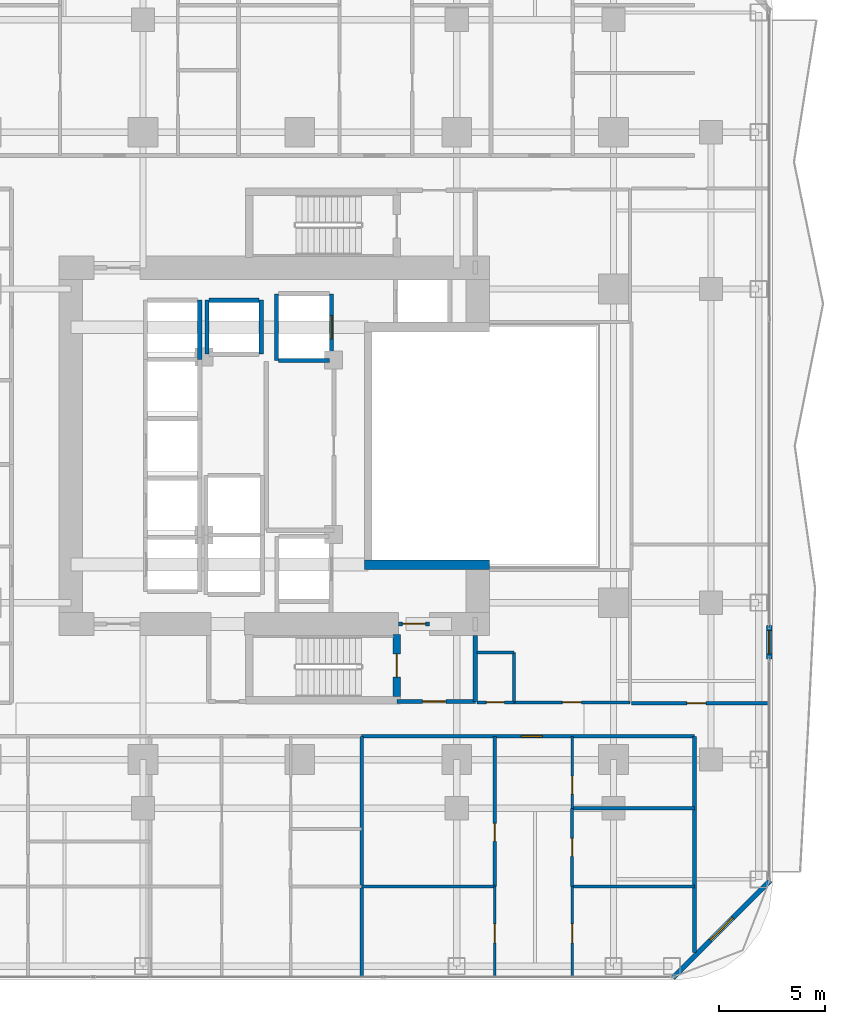
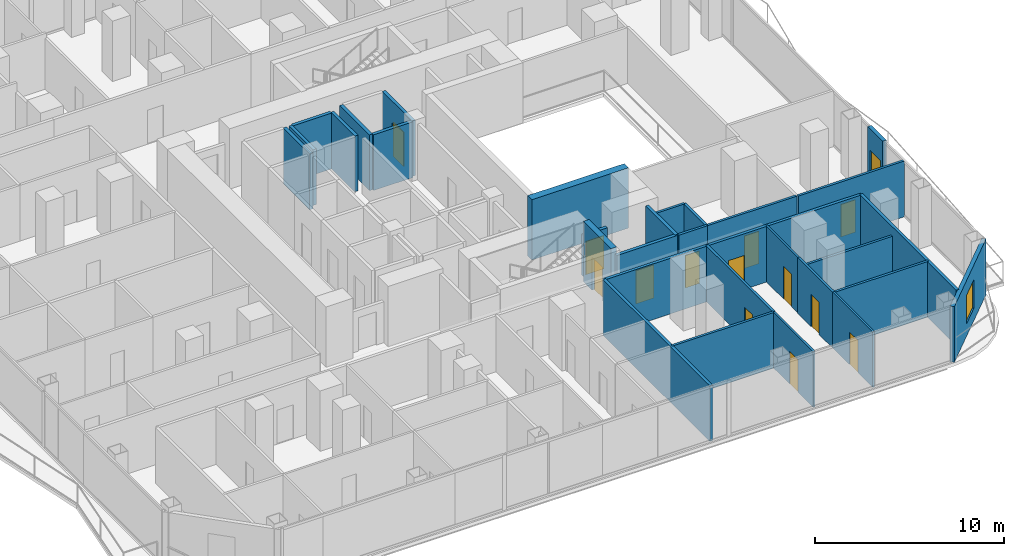
# One storey, part 21 of 29: 30 walls, 14 doors, 1 window, 15 openings.
"""IFC4 building model written with IfcOpenShell, lengths in metres."""

from ifc_helpers import new_model, si_unit, direction, frame, frame_2d, origin, place, context, subcontext, project, spatial, rectangle, extrude, material, layer, layer_set, type_object, element, fill, save


model = new_model("IFC4")

# Units and contexts
model_context = context("Model", 3, precision=1e-05, world=origin(), true_north=direction((0.0, 1.0)))
body_context = subcontext(model_context, "Body", "Model", "MODEL_VIEW")
ifc_project = project(units=[si_unit("LENGTHUNIT", "METRE"), si_unit("AREAUNIT", "SQUARE_METRE"), si_unit("VOLUMEUNIT", "CUBIC_METRE"), si_unit("PLANEANGLEUNIT", "RADIAN"), si_unit("MASSUNIT", "GRAM", prefix="KILO")], contexts=[model_context])

# Site, building, storey
site_placement = place(None, origin())
site = spatial("IfcSite", under=ifc_project, at=site_placement, CompositionType="ELEMENT")
building_placement = place(site_placement, origin())
building = spatial("IfcBuilding", under=site, at=building_placement, Name="Khorvyn Point Tower", CompositionType="ELEMENT")
storey_placement = place(building_placement, frame((0.0, 0.0, 73.5)))
storey = spatial("IfcBuildingStorey", under=building, at=storey_placement, Name="L19", CompositionType="ELEMENT", Elevation=73.5)

# Wall, opening, door
ifc_material_1 = material(Name="Double acoustic gypsum on twin steel stud", Category="steel")
ifc_layer_1 = layer(ifc_material_1, 0.179931640625)
ifc_layer_set_1 = layer_set([ifc_layer_1], Name="Acoustic Double-Stud Apartment Demising Wall 180")
wall_type_1 = type_object("IfcWallType", Name="Acoustic Double-Stud Apartment Demising Wall 180", PredefinedType="PARTITIONING", material=ifc_layer_set_1)
wall_1_placement = place(storey_placement, frame((2.91796875, -13.699951171875, 0.0), z_axis=(0.0, 0.0, 1.0), x_axis=(1.0, 0.0, 0.0)))
wall_1 = element("IfcWall", 1, at=wall_1_placement, inside=storey, type_object=wall_type_1, Name="Wall", PredefinedType="PARTITIONING", context=body_context, shape_type="SweptSolid", body=[
    extrude(rectangle(XDim=15.7021484375, YDim=0.179931640625, at=frame_2d((7.85107421875, 0.0))), origin(), (0.0, 0.0, 1.0), 3.60009765625),
])
opening_1_placement = place(wall_1_placement, frame((7.53076171875, 0.0, 0.0)))
opening_1 = element("IfcOpeningElement", 2, at=opening_1_placement, cuts=wall_1, Name="Opening ID-AP60", PredefinedType="OPENING", context=body_context, shape_type="SweptSolid", body=[
    extrude(rectangle(XDim=1.0, YDim=2.199951171875, at=frame_2d((0.5, 1.10009765625))), frame((0.0, 0.099853515625, 0.0), z_axis=(0.0, -1.0, 0.0), x_axis=(1.0, 0.0, 0.0)), (0.0, 0.0, 1.0), 0.199951171875),
])
ifc_material_2 = material(Name="Engineered hardwood fire-rated leaf", Category="wood")
door_type_1 = type_object("IfcDoorType", Name="Acoustic Solid-Core Timber Apartment Entrance Door 1000x2200", OperationType="NOTDEFINED", PredefinedType="DOOR", material=ifc_material_2)
door_1_placement = place(opening_1_placement, origin())
door_1 = element("IfcDoor", 3, at=door_1_placement, inside=storey, type_object=door_type_1, Name="Door", OperationType="SINGLE_SWING_LEFT", OverallHeight=2.199951171875, OverallWidth=1.0, PredefinedType="DOOR", context=body_context, shape_type="SweptSolid", body=[
    extrude(rectangle(XDim=1.0, YDim=2.199951171875, at=frame_2d((0.5, 1.10009765625))), frame((0.0, 0.02490234375, 0.0), z_axis=(0.0, -1.0, 0.0), x_axis=(1.0, 0.0, 0.0)), (0.0, 0.0, 1.0), 0.050048828125),
])
fill(opening_1, door_1)

# Walls
wall_2_placement = place(storey_placement, frame((18.6201171875, -23.909912109375, 0.0), z_axis=(0.0, 0.0, 1.0), x_axis=(0.0, 1.0, 0.0)))
element("IfcWall", 4, at=wall_2_placement, inside=storey, type_object=wall_type_1, Name="Wall", PredefinedType="PARTITIONING", context=body_context, shape_type="SweptSolid", body=[
    extrude(rectangle(XDim=10.2099609375, YDim=0.179931640625, at=frame_2d((5.10498046875, 0.0))), origin(), (0.0, 0.0, 1.0), 3.60009765625),
])
wall_3_placement = place(storey_placement, frame((2.91796875, -25.030029296875, 0.0), z_axis=(0.0, 0.0, 1.0), x_axis=(0.0, 1.0, 0.0)))
element("IfcWall", 5, at=wall_3_placement, inside=storey, type_object=wall_type_1, Name="Wall", PredefinedType="PARTITIONING", context=body_context, shape_type="SweptSolid", body=[
    extrude(rectangle(XDim=11.330078125, YDim=0.179931640625, at=frame_2d((5.6650390625, 0.0))), origin(), (0.0, 0.0, 1.0), 3.60009765625),
])

# Wall, opening, door
ifc_material_3 = material(Name="Pale anodised aluminium rainscreen on steel stud", Category="steel")
ifc_layer_2 = layer(ifc_material_3, 0.239990234375)
ifc_layer_set_2 = layer_set([ifc_layer_2], Name="Anodised Aluminium Insulated Corner Spandrel Wall 240")
wall_type_2 = type_object("IfcWallType", Name="Anodised Aluminium Insulated Corner Spandrel Wall 240", PredefinedType="SOLIDWALL", material=ifc_layer_set_2)
wall_4_placement = place(storey_placement, frame((22.14990234375, -8.47802734375, 0.0), z_axis=(0.0, 0.0, 1.0), x_axis=(0.0, -1.0, 0.0)))
wall_4 = element("IfcWall", 6, at=wall_4_placement, inside=storey, type_object=wall_type_2, Name="L19 East Outdoor Threshold Wall", PredefinedType="SOLIDWALL", context=body_context, shape_type="SweptSolid", body=[
    extrude(rectangle(XDim=1.580078125, YDim=0.239990234375, at=frame_2d((0.7900390625, 0.0))), origin(), (0.0, 0.0, 1.0), 3.60009765625),
])
opening_2_placement = place(wall_4_placement, frame((0.239990234375, 0.0, 0.0)))
opening_2 = element("IfcOpeningElement", 7, at=opening_2_placement, cuts=wall_4, Name="Opening BD-1122", PredefinedType="OPENING", context=body_context, shape_type="SweptSolid", body=[
    extrude(rectangle(XDim=1.10009765625, YDim=2.199951171875, at=frame_2d((0.550048828125, 1.10009765625))), frame((0.0, 0.1298828125, 0.0), z_axis=(0.0, -1.0, 0.0), x_axis=(1.0, 0.0, 0.0)), (0.0, 0.0, 1.0), 0.260009765625),
])
ifc_material_4 = material(Name="Anodised aluminium 6063-T6 and laminated Low-E glass", Category="aluminium")
door_type_2 = type_object("IfcDoorType", Name="Glazed Balcony and Terrace Threshold Door 1100x2200", OperationType="NOTDEFINED", PredefinedType="DOOR", material=ifc_material_4)
door_2_placement = place(opening_2_placement, origin())
door_2 = element("IfcDoor", 8, at=door_2_placement, inside=storey, type_object=door_type_2, Name="L19 East Glazed Balcony Outdoor Door", OperationType="SINGLE_SWING_LEFT", OverallHeight=2.199951171875, OverallWidth=1.10009765625, PredefinedType="DOOR", context=body_context, shape_type="SweptSolid", body=[
    extrude(rectangle(XDim=1.10009765625, YDim=2.199951171875, at=frame_2d((0.550048828125, 1.10009765625))), frame((0.0, 0.02490234375, 0.0), z_axis=(0.0, -1.0, 0.0), x_axis=(1.0, 0.0, 0.0)), (0.0, 0.0, 1.0), 0.050048828125),
])
fill(opening_2, door_2)

# Wall, opening, window
wall_5_placement = place(storey_placement, frame((22.1923828125, -20.507568359375, 0.0), z_axis=(0.0, 0.0, 1.0), x_axis=(-0.707106781187, -0.707106781187, 0.0)))
wall_5 = element("IfcWall", 9, at=wall_5_placement, inside=storey, type_object=wall_type_2, Name="L19 Rounded Corner Wall SE", PredefinedType="SOLIDWALL", context=body_context, shape_type="SweptSolid", body=[
    extrude(rectangle(XDim=6.48388671875, YDim=0.239990234375, at=frame_2d((3.241943359375, 0.0))), origin(), (0.0, 0.0, 1.0), 3.60009765625),
])
opening_3_placement = place(wall_5_placement, frame((2.491943359375, 0.0, 0.800048828125)))
opening_3 = element("IfcOpeningElement", 10, at=opening_3_placement, cuts=wall_5, Name="Opening WN-1518", PredefinedType="OPENING", context=body_context, shape_type="SweptSolid", body=[
    extrude(rectangle(XDim=1.5, YDim=1.85009765625, at=frame_2d((0.75, 0.925048828125))), frame((0.0, 0.1298828125, 0.0), z_axis=(0.0, -1.0, 0.0), x_axis=(1.0, 0.0, 0.0)), (0.0, 0.0, 1.0), 0.260009765625),
])
window_type = type_object("IfcWindowType", Name="Anodised Aluminium Rounded-Corner Panoramic Window 1500x1850", PartitioningType="SINGLE_PANEL", PredefinedType="WINDOW", material=ifc_material_4)
window_placement = place(opening_3_placement, origin())
window = element("IfcWindow", 11, at=window_placement, inside=storey, type_object=window_type, Name="L19 Corner Panoramic Window SE", OverallHeight=1.85009765625, OverallWidth=1.5, PartitioningType="SINGLE_PANEL", PredefinedType="WINDOW", context=body_context, shape_type="SweptSolid", body=[
    extrude(rectangle(XDim=1.5, YDim=1.85009765625, at=frame_2d((0.75, 0.925048828125))), frame((0.0, 0.030029296875, 0.0), z_axis=(0.0, -1.0, 0.0), x_axis=(1.0, 0.0, 0.0)), (0.0, 0.0, 1.0), 0.06005859375),
])
fill(opening_3, window)

# Wall
ifc_material_5 = material(Name="Concrete C40/50", Category="concrete")
ifc_layer_3 = layer(ifc_material_5, 0.449951171875)
ifc_layer_set_3 = layer_set([ifc_layer_3], Name="Concrete C40/50 Core Shear Wall 450")
wall_type_3 = type_object("IfcWallType", Name="Concrete C40/50 Core Shear Wall 450", PredefinedType="SHEAR", material=ifc_layer_set_3)
wall_6_placement = place(storey_placement, frame((3.044921875, -5.60009765625, 0.0), z_axis=(0.0, 0.0, 1.0), x_axis=(1.0, 0.0, 0.0)))
element("IfcWall", 12, at=wall_6_placement, inside=storey, type_object=wall_type_3, Name="Wall", PredefinedType="SHEAR", context=body_context, shape_type="SweptSolid", body=[
    extrude(rectangle(XDim=5.905029296875, YDim=0.449951171875, at=frame_2d((2.95263671875, 0.0))), origin(), (0.0, 0.0, 1.0), 3.89990234375),
])

# Wall, opening, door
ifc_layer_4 = layer(ifc_material_5, 0.199951171875)
ifc_layer_set_4 = layer_set([ifc_layer_4], Name="Concrete C40/50 Fire-Lobby Compartment Wall 200")
wall_type_4 = type_object("IfcWallType", Name="Concrete C40/50 Fire-Lobby Compartment Wall 200", PredefinedType="SOLIDWALL", material=ifc_layer_set_4)
wall_7_placement = place(storey_placement, frame((4.580078125, -12.06005859375, 0.0), z_axis=(0.0, 0.0, 1.0), x_axis=(1.0, 0.0, 0.0)))
wall_7 = element("IfcWall", 13, at=wall_7_placement, inside=storey, type_object=wall_type_4, Name="Wall", PredefinedType="SOLIDWALL", context=body_context, shape_type="SweptSolid", body=[
    extrude(rectangle(XDim=3.699951171875, YDim=0.199951171875, at=frame_2d((1.85009765625, 0.0))), origin(), (0.0, 0.0, 1.0), 3.60009765625),
])
opening_4_placement = place(wall_7_placement, frame((1.21240234375, 0.0, 0.0)))
opening_4 = element("IfcOpeningElement", 14, at=opening_4_placement, cuts=wall_7, Name="Opening ID-FL90", PredefinedType="OPENING", context=body_context, shape_type="SweptSolid", body=[
    extrude(rectangle(XDim=1.10009765625, YDim=2.14990234375, at=frame_2d((0.550048828125, 1.074951171875))), frame((0.0, 0.10986328125, 0.0), z_axis=(0.0, -1.0, 0.0), x_axis=(1.0, 0.0, 0.0)), (0.0, 0.0, 1.0), 0.219970703125),
])
ifc_material_6 = material(Name="Galvanised powder-coated steel", Category="steel")
door_type_3 = type_object("IfcDoorType", Name="Fire-Rated Steel Lobby and Stair Door 1100x2150", OperationType="NOTDEFINED", PredefinedType="DOOR", material=ifc_material_6)
door_3_placement = place(opening_4_placement, origin())
door_3 = element("IfcDoor", 15, at=door_3_placement, inside=storey, type_object=door_type_3, Name="Door", OperationType="SINGLE_SWING_LEFT", OverallHeight=2.14990234375, OverallWidth=1.10009765625, PredefinedType="DOOR", context=body_context, shape_type="SweptSolid", body=[
    extrude(rectangle(XDim=1.10009765625, YDim=2.14990234375, at=frame_2d((0.550048828125, 1.074951171875))), frame((0.0, 0.02490234375, 0.0), z_axis=(0.0, -1.0, 0.0), x_axis=(1.0, 0.0, 0.0)), (0.0, 0.0, 1.0), 0.050048828125),
])
fill(opening_4, door_3)

wall_8_placement = place(storey_placement, frame((4.64990234375, -8.39990234375, 0.0), z_axis=(0.0, 0.0, 1.0), x_axis=(1.0, 0.0, 0.0)))
wall_8 = element("IfcWall", 16, at=wall_8_placement, inside=storey, type_object=wall_type_4, Name="Wall", PredefinedType="SOLIDWALL", context=body_context, shape_type="SweptSolid", body=[
    extrude(rectangle(XDim=1.47021484375, YDim=0.199951171875, at=frame_2d((0.735107421875, 0.0))), origin(), (0.0, 0.0, 1.0), 2.639892578125),
])
opening_5_placement = place(wall_8_placement, frame((0.18505859375, 0.0, 0.0)))
opening_5 = element("IfcOpeningElement", 17, at=opening_5_placement, cuts=wall_8, Name="Opening ID-FL90", PredefinedType="OPENING", context=body_context, shape_type="SweptSolid", body=[
    extrude(rectangle(XDim=1.10009765625, YDim=2.14990234375, at=frame_2d((0.550048828125, 1.074951171875))), frame((0.0, 0.10986328125, 0.0), z_axis=(0.0, -1.0, 0.0), x_axis=(1.0, 0.0, 0.0)), (0.0, 0.0, 1.0), 0.219970703125),
])
door_4_placement = place(opening_5_placement, origin())
door_4 = element("IfcDoor", 18, at=door_4_placement, inside=storey, type_object=door_type_3, Name="Door", OperationType="SINGLE_SWING_RIGHT", OverallHeight=2.14990234375, OverallWidth=1.10009765625, PredefinedType="DOOR", context=body_context, shape_type="SweptSolid", body=[
    extrude(rectangle(XDim=1.10009765625, YDim=2.14990234375, at=frame_2d((0.550048828125, 1.074951171875))), frame((0.0, 0.02490234375, 0.0), z_axis=(0.0, -1.0, 0.0), x_axis=(1.0, 0.0, 0.0)), (0.0, 0.0, 1.0), 0.050048828125),
])
fill(opening_5, door_4)

# Wall
wall_9_placement = place(storey_placement, frame((8.280029296875, -12.06005859375, 0.0), z_axis=(0.0, 0.0, 1.0), x_axis=(0.0, 1.0, 0.0)))
element("IfcWall", 19, at=wall_9_placement, inside=storey, type_object=wall_type_4, Name="Wall", PredefinedType="SOLIDWALL", context=body_context, shape_type="SweptSolid", body=[
    extrude(rectangle(XDim=3.110107421875, YDim=0.199951171875, at=frame_2d((1.55517578125, 0.0))), origin(), (0.0, 0.0, 1.0), 3.60009765625),
])

# Wall, opening, door
ifc_layer_5 = layer(ifc_material_5, 0.35009765625)
ifc_layer_set_5 = layer_set([ifc_layer_5], Name="Concrete C40/50 Stair Shaft Structural Wall 350")
wall_type_5 = type_object("IfcWallType", Name="Concrete C40/50 Stair Shaft Structural Wall 350", PredefinedType="SHEAR", material=ifc_layer_set_5)
wall_10_placement = place(storey_placement, frame((4.580078125, -8.89990234375, 0.0), z_axis=(0.0, 0.0, 1.0), x_axis=(0.0, -1.0, 0.0)))
wall_10 = element("IfcWall", 20, at=wall_10_placement, inside=storey, type_object=wall_type_5, Name="L19 ST-01 East Landing Door Wall", PredefinedType="SHEAR", context=body_context, shape_type="SweptSolid", body=[
    extrude(rectangle(XDim=2.925048828125, YDim=0.35009765625, at=frame_2d((1.46240234375, 0.0))), origin(), (0.0, 0.0, 1.0), 3.89990234375),
])
opening_6_placement = place(wall_10_placement, frame((0.91259765625, 0.0, 0.0)))
opening_6 = element("IfcOpeningElement", 21, at=opening_6_placement, cuts=wall_10, Name="Opening ID-FL90", PredefinedType="OPENING", context=body_context, shape_type="SweptSolid", body=[
    extrude(rectangle(XDim=1.10009765625, YDim=2.14990234375, at=frame_2d((0.550048828125, 1.074951171875))), frame((0.0, 0.18505859375, 0.0), z_axis=(0.0, -1.0, 0.0), x_axis=(1.0, 0.0, 0.0)), (0.0, 0.0, 1.0), 0.3701171875),
])
door_5_placement = place(opening_6_placement, origin())
door_5 = element("IfcDoor", 22, at=door_5_placement, inside=storey, type_object=door_type_3, Name="L19 ST-01 Smokeproof Landing Door", OperationType="SINGLE_SWING_LEFT", OverallHeight=2.14990234375, OverallWidth=1.10009765625, PredefinedType="DOOR", context=body_context, shape_type="SweptSolid", body=[
    extrude(rectangle(XDim=1.10009765625, YDim=2.14990234375, at=frame_2d((0.550048828125, 1.074951171875))), frame((0.0, 0.02490234375, 0.0), z_axis=(0.0, -1.0, 0.0), x_axis=(1.0, 0.0, 0.0)), (0.0, 0.0, 1.0), 0.050048828125),
])
fill(opening_6, door_5)

# Walls
ifc_layer_6 = layer(ifc_material_5, 0.199951171875)
ifc_layer_set_6 = layer_set([ifc_layer_6], Name="Concrete C40/50 Structural Hoistway and Stair Shaft Wall 200")
wall_type_6 = type_object("IfcWallType", Name="Concrete C40/50 Structural Hoistway and Stair Shaft Wall 200", PredefinedType="SHEAR", material=ifc_layer_set_6)
wall_11_placement = place(storey_placement, frame((-4.72509765625, 4.074951171875, 0.0), z_axis=(0.0, 0.0, 1.0), x_axis=(0.0, 1.0, 0.0)))
element("IfcWall", 23, at=wall_11_placement, inside=storey, type_object=wall_type_6, Name="Wall", PredefinedType="SHEAR", context=body_context, shape_type="SweptSolid", body=[
    extrude(rectangle(XDim=2.800048828125, YDim=0.199951171875, at=frame_2d((1.39990234375, 0.0))), origin(), (0.0, 0.0, 1.0), 3.60009765625),
])
for number, where, z_axis, x_axis, name in (
    (24, (-4.375, 4.324951171875, 0.0), (0.0, 0.0, 1.0), (0.0, 1.0, 0.0), "Wall"),
    (25, (-1.824951171875, 4.324951171875, 0.0), (0.0, 0.0, 1.0), (0.0, 1.0, 0.0), "Wall"),
):
    element("IfcWall", number, at=place(storey_placement, frame(where, z_axis=z_axis, x_axis=x_axis)), inside=storey, type_object=wall_type_6, Name=name, PredefinedType="SHEAR", context=body_context, shape_type="SweptSolid", body=[
        extrude(rectangle(XDim=2.550048828125, YDim=0.199951171875, at=frame_2d((1.27490234375, 0.0))), origin(), (0.0, 0.0, 1.0), 3.60009765625),
    ])
wall_12_placement = place(storey_placement, frame((-4.27490234375, 6.875, 0.0), z_axis=(0.0, 0.0, 1.0), x_axis=(1.0, 0.0, 0.0)))
element("IfcWall", 26, at=wall_12_placement, inside=storey, type_object=wall_type_6, Name="Wall", PredefinedType="SHEAR", context=body_context, shape_type="SweptSolid", body=[
    extrude(rectangle(XDim=2.349853515625, YDim=0.199951171875, at=frame_2d((1.1748046875, 0.0))), origin(), (0.0, 0.0, 1.0), 3.60009765625),
])
wall_13_placement = place(storey_placement, frame((-1.10009765625, 4.02490234375, 0.0), z_axis=(0.0, 0.0, 1.0), x_axis=(0.0, 1.0, 0.0)))
element("IfcWall", 27, at=wall_13_placement, inside=storey, type_object=wall_type_6, Name="Wall", PredefinedType="SHEAR", context=body_context, shape_type="SweptSolid", body=[
    extrude(rectangle(XDim=3.150146484375, YDim=0.199951171875, at=frame_2d((1.5751953125, 0.0))), origin(), (0.0, 0.0, 1.0), 3.60009765625),
])

# Wall, opening, door
wall_14_placement = place(storey_placement, frame((1.5, 4.02490234375, 0.0), z_axis=(0.0, 0.0, 1.0), x_axis=(0.0, 1.0, 0.0)))
wall_14 = element("IfcWall", 28, at=wall_14_placement, inside=storey, type_object=wall_type_6, Name="Wall", PredefinedType="SHEAR", context=body_context, shape_type="SweptSolid", body=[
    extrude(rectangle(XDim=3.150146484375, YDim=0.199951171875, at=frame_2d((1.5751953125, 0.0))), origin(), (0.0, 0.0, 1.0), 3.60009765625),
])
opening_7_placement = place(wall_14_placement, frame((1.02490234375, 0.0, 0.0)))
opening_7 = element("IfcOpeningElement", 29, at=opening_7_placement, cuts=wall_14, Name="Opening LD-1122", PredefinedType="OPENING", context=body_context, shape_type="SweptSolid", body=[
    extrude(rectangle(XDim=1.10009765625, YDim=2.199951171875, at=frame_2d((0.550048828125, 1.10009765625))), frame((0.0, 0.10986328125, 0.0), z_axis=(0.0, -1.0, 0.0), x_axis=(1.0, 0.0, 0.0)), (0.0, 0.0, 1.0), 0.219970703125),
])
ifc_material_7 = material(Name="Stainless steel 1.4301", Category="steel")
door_type_4 = type_object("IfcDoorType", Name="Stainless Steel Automatic Sliding Lift Landing Door 1100x2200", OperationType="SLIDING_TO_LEFT", PredefinedType="DOOR", material=ifc_material_7)
door_6_placement = place(opening_7_placement, origin())
door_6 = element("IfcDoor", 30, at=door_6_placement, inside=storey, type_object=door_type_4, Name="L19 SV-01 Sliding Lift Landing Door", OperationType="SLIDING_TO_LEFT", OverallHeight=2.199951171875, OverallWidth=1.10009765625, PredefinedType="DOOR", context=body_context, shape_type="SweptSolid", body=[
    extrude(rectangle(XDim=1.10009765625, YDim=2.199951171875, at=frame_2d((0.550048828125, 1.10009765625))), frame((0.0, 0.02490234375, 0.0), z_axis=(0.0, -1.0, 0.0), x_axis=(1.0, 0.0, 0.0)), (0.0, 0.0, 1.0), 0.050048828125),
])
fill(opening_7, door_6)

# Wall
wall_15_placement = place(storey_placement, frame((-1.0, 4.02490234375, 0.0), z_axis=(0.0, 0.0, 1.0), x_axis=(1.0, 0.0, 0.0)))
element("IfcWall", 31, at=wall_15_placement, inside=storey, type_object=wall_type_6, Name="Wall", PredefinedType="SHEAR", context=body_context, shape_type="SweptSolid", body=[
    extrude(rectangle(XDim=2.39990234375, YDim=0.199951171875, at=frame_2d((1.199951171875, 0.0))), origin(), (0.0, 0.0, 1.0), 3.60009765625),
])

# Wall, opening, door
ifc_material_8 = material(Name="Gypsum plasterboard on steel stud", Category="steel")
ifc_layer_7 = layer(ifc_material_8, 0.1201171875)
ifc_layer_set_7 = layer_set([ifc_layer_7], Name="Gypsum Acoustic Stud Room Partition Wall 120")
wall_type_7 = type_object("IfcWallType", Name="Gypsum Acoustic Stud Room Partition Wall 120", PredefinedType="PARTITIONING", material=ifc_layer_set_7)
wall_16_placement = place(storey_placement, frame((9.198974609375, -25.030029296875, 0.0), z_axis=(0.0, 0.0, 1.0), x_axis=(0.0, 1.0, 0.0)))
wall_16 = element("IfcWall", 32, at=wall_16_placement, inside=storey, type_object=wall_type_7, Name="Wall", PredefinedType="PARTITIONING", context=body_context, shape_type="SweptSolid", body=[
    extrude(rectangle(XDim=4.239990234375, YDim=0.1201171875, at=frame_2d((2.1201171875, 0.0))), origin(), (0.0, 0.0, 1.0), 3.60009765625),
])
opening_8_placement = place(wall_16_placement, frame((1.581298828125, 0.0, 0.0)))
opening_8 = element("IfcOpeningElement", 33, at=opening_8_placement, cuts=wall_16, Name="Opening ID-RM90", PredefinedType="OPENING", context=body_context, shape_type="SweptSolid", body=[
    extrude(rectangle(XDim=0.89990234375, YDim=2.10009765625, at=frame_2d((0.449951171875, 1.050048828125))), frame((0.0, 0.070068359375, 0.0), z_axis=(0.0, -1.0, 0.0), x_axis=(1.0, 0.0, 0.0)), (0.0, 0.0, 1.0), 0.14013671875),
])
ifc_material_9 = material(Name="Engineered oak veneer timber", Category="wood")
door_type_5 = type_object("IfcDoorType", Name="Flush Engineered Timber Room Door 900x2100", OperationType="NOTDEFINED", PredefinedType="DOOR", material=ifc_material_9)
door_7_placement = place(opening_8_placement, origin())
door_7 = element("IfcDoor", 34, at=door_7_placement, inside=storey, type_object=door_type_5, Name="Door", OperationType="SINGLE_SWING_LEFT", OverallHeight=2.10009765625, OverallWidth=0.89990234375, PredefinedType="DOOR", context=body_context, shape_type="SweptSolid", body=[
    extrude(rectangle(XDim=0.89990234375, YDim=2.10009765625, at=frame_2d((0.449951171875, 1.050048828125))), frame((0.0, 0.02490234375, 0.0), z_axis=(0.0, -1.0, 0.0), x_axis=(1.0, 0.0, 0.0)), (0.0, 0.0, 1.0), 0.050048828125),
])
fill(opening_8, door_7)

wall_17_placement = place(storey_placement, frame((12.843994140625, -17.10009765625, 0.0), z_axis=(0.0, 0.0, 1.0), x_axis=(0.0, 1.0, 0.0)))
wall_17 = element("IfcWall", 35, at=wall_17_placement, inside=storey, type_object=wall_type_7, Name="Wall", PredefinedType="PARTITIONING", context=body_context, shape_type="SweptSolid", body=[
    extrude(rectangle(XDim=3.400146484375, YDim=0.1201171875, at=frame_2d((1.7001953125, 0.0))), origin(), (0.0, 0.0, 1.0), 3.60009765625),
])
opening_9_placement = place(wall_17_placement, frame((0.674560546875, 0.0, 0.0)))
opening_9 = element("IfcOpeningElement", 36, at=opening_9_placement, cuts=wall_17, Name="Opening ID-WC85", PredefinedType="OPENING", context=body_context, shape_type="SweptSolid", body=[
    extrude(rectangle(XDim=0.85009765625, YDim=2.10009765625, at=frame_2d((0.425048828125, 1.050048828125))), frame((0.0, 0.070068359375, 0.0), z_axis=(0.0, -1.0, 0.0), x_axis=(1.0, 0.0, 0.0)), (0.0, 0.0, 1.0), 0.14013671875),
])
ifc_material_10 = material(Name="High-pressure laminate on moisture-resistant core", Category="wood")
door_type_6 = type_object("IfcDoorType", Name="Moisture-Resistant Accessible Washroom Door 850x2100", OperationType="NOTDEFINED", PredefinedType="DOOR", material=ifc_material_10)
door_8_placement = place(opening_9_placement, origin())
door_8 = element("IfcDoor", 37, at=door_8_placement, inside=storey, type_object=door_type_6, Name="Door", OperationType="SINGLE_SWING_LEFT", OverallHeight=2.10009765625, OverallWidth=0.85009765625, PredefinedType="DOOR", context=body_context, shape_type="SweptSolid", body=[
    extrude(rectangle(XDim=0.85009765625, YDim=2.10009765625, at=frame_2d((0.425048828125, 1.050048828125))), frame((0.0, 0.02490234375, 0.0), z_axis=(0.0, -1.0, 0.0), x_axis=(1.0, 0.0, 0.0)), (0.0, 0.0, 1.0), 0.050048828125),
])
fill(opening_9, door_8)

wall_18_placement = place(storey_placement, frame((12.843994140625, -25.030029296875, 0.0), z_axis=(0.0, 0.0, 1.0), x_axis=(0.0, 1.0, 0.0)))
wall_18 = element("IfcWall", 38, at=wall_18_placement, inside=storey, type_object=wall_type_7, Name="Wall", PredefinedType="PARTITIONING", context=body_context, shape_type="SweptSolid", body=[
    extrude(rectangle(XDim=4.239990234375, YDim=0.1201171875, at=frame_2d((2.1201171875, 0.0))), origin(), (0.0, 0.0, 1.0), 3.60009765625),
])
opening_10_placement = place(wall_18_placement, frame((1.581298828125, 0.0, 0.0)))
opening_10 = element("IfcOpeningElement", 39, at=opening_10_placement, cuts=wall_18, Name="Opening ID-RM90", PredefinedType="OPENING", context=body_context, shape_type="SweptSolid", body=[
    extrude(rectangle(XDim=0.89990234375, YDim=2.10009765625, at=frame_2d((0.449951171875, 1.050048828125))), frame((0.0, 0.070068359375, 0.0), z_axis=(0.0, -1.0, 0.0), x_axis=(1.0, 0.0, 0.0)), (0.0, 0.0, 1.0), 0.14013671875),
])
door_9_placement = place(opening_10_placement, origin())
door_9 = element("IfcDoor", 40, at=door_9_placement, inside=storey, type_object=door_type_5, Name="Door", OperationType="SINGLE_SWING_RIGHT", OverallHeight=2.10009765625, OverallWidth=0.89990234375, PredefinedType="DOOR", context=body_context, shape_type="SweptSolid", body=[
    extrude(rectangle(XDim=0.89990234375, YDim=2.10009765625, at=frame_2d((0.449951171875, 1.050048828125))), frame((0.0, 0.02490234375, 0.0), z_axis=(0.0, -1.0, 0.0), x_axis=(1.0, 0.0, 0.0)), (0.0, 0.0, 1.0), 0.050048828125),
])
fill(opening_10, door_9)

ifc_material_11 = material(Name="Moisture-resistant gypsum and cement board", Category="gypsum")
ifc_layer_8 = layer(ifc_material_11, 0.14990234375)
ifc_layer_set_8 = layer_set([ifc_layer_8], Name="Moisture-Resistant Wet-Room Partition Wall 150")
wall_type_8 = type_object("IfcWallType", Name="Moisture-Resistant Wet-Room Partition Wall 150", PredefinedType="PARTITIONING", material=ifc_layer_set_8)
wall_19_placement = place(storey_placement, frame((8.360107421875, -12.10009765625, 0.0), z_axis=(0.0, 0.0, 1.0), x_axis=(1.0, 0.0, 0.0)))
wall_19 = element("IfcWall", 41, at=wall_19_placement, inside=storey, type_object=wall_type_8, Name="Wall", PredefinedType="PARTITIONING", context=body_context, shape_type="SweptSolid", body=[
    extrude(rectangle(XDim=1.739990234375, YDim=0.14990234375, at=frame_2d((0.8701171875, 0.0))), origin(), (0.0, 0.0, 1.0), 3.60009765625),
])
opening_11_placement = place(wall_19_placement, frame((0.445068359375, 0.0, 0.0)))
opening_11 = element("IfcOpeningElement", 42, at=opening_11_placement, cuts=wall_19, Name="Opening ID-WC85", PredefinedType="OPENING", context=body_context, shape_type="SweptSolid", body=[
    extrude(rectangle(XDim=0.85009765625, YDim=2.10009765625, at=frame_2d((0.425048828125, 1.050048828125))), frame((0.0, 0.0849609375, 0.0), z_axis=(0.0, -1.0, 0.0), x_axis=(1.0, 0.0, 0.0)), (0.0, 0.0, 1.0), 0.169921875),
])
door_10_placement = place(opening_11_placement, origin())
door_10 = element("IfcDoor", 43, at=door_10_placement, inside=storey, type_object=door_type_6, Name="Door", OperationType="SINGLE_SWING_RIGHT", OverallHeight=2.10009765625, OverallWidth=0.85009765625, PredefinedType="DOOR", context=body_context, shape_type="SweptSolid", body=[
    extrude(rectangle(XDim=0.85009765625, YDim=2.10009765625, at=frame_2d((0.425048828125, 1.050048828125))), frame((0.0, 0.02490234375, 0.0), z_axis=(0.0, -1.0, 0.0), x_axis=(1.0, 0.0, 0.0)), (0.0, 0.0, 1.0), 0.050048828125),
])
fill(opening_11, door_10)

wall_20_placement = place(storey_placement, frame((10.10009765625, -12.10009765625, 0.0), z_axis=(0.0, 0.0, 1.0), x_axis=(1.0, 0.0, 0.0)))
wall_20 = element("IfcWall", 44, at=wall_20_placement, inside=storey, type_object=wall_type_8, Name="Wall", PredefinedType="PARTITIONING", context=body_context, shape_type="SweptSolid", body=[
    extrude(rectangle(XDim=5.47998046875, YDim=0.14990234375, at=frame_2d((2.739990234375, 0.0))), origin(), (0.0, 0.0, 1.0), 3.60009765625),
])
opening_12_placement = place(wall_20_placement, frame((2.2900390625, 0.0, 0.0)))
opening_12 = element("IfcOpeningElement", 45, at=opening_12_placement, cuts=wall_20, Name="Opening ID-RM90", PredefinedType="OPENING", context=body_context, shape_type="SweptSolid", body=[
    extrude(rectangle(XDim=0.89990234375, YDim=2.10009765625, at=frame_2d((0.449951171875, 1.050048828125))), frame((0.0, 0.0849609375, 0.0), z_axis=(0.0, -1.0, 0.0), x_axis=(1.0, 0.0, 0.0)), (0.0, 0.0, 1.0), 0.169921875),
])
door_11_placement = place(opening_12_placement, origin())
door_11 = element("IfcDoor", 46, at=door_11_placement, inside=storey, type_object=door_type_5, Name="Door", OperationType="SINGLE_SWING_LEFT", OverallHeight=2.10009765625, OverallWidth=0.89990234375, PredefinedType="DOOR", context=body_context, shape_type="SweptSolid", body=[
    extrude(rectangle(XDim=0.89990234375, YDim=2.10009765625, at=frame_2d((0.449951171875, 1.050048828125))), frame((0.0, 0.02490234375, 0.0), z_axis=(0.0, -1.0, 0.0), x_axis=(1.0, 0.0, 0.0)), (0.0, 0.0, 1.0), 0.050048828125),
])
fill(opening_12, door_11)

wall_21_placement = place(storey_placement, frame((9.198974609375, -20.7900390625, 0.0), z_axis=(0.0, 0.0, 1.0), x_axis=(0.0, 1.0, 0.0)))
wall_21 = element("IfcWall", 47, at=wall_21_placement, inside=storey, type_object=wall_type_8, Name="Wall", PredefinedType="PARTITIONING", context=body_context, shape_type="SweptSolid", body=[
    extrude(rectangle(XDim=7.090087890625, YDim=0.14990234375, at=frame_2d((3.544921875, 0.0))), origin(), (0.0, 0.0, 1.0), 3.60009765625),
])
opening_13_placement = place(wall_21_placement, frame((2.13330078125, 0.0, 0.0)))
opening_13 = element("IfcOpeningElement", 48, at=opening_13_placement, cuts=wall_21, Name="Opening ID-WC85", PredefinedType="OPENING", context=body_context, shape_type="SweptSolid", body=[
    extrude(rectangle(XDim=0.85009765625, YDim=2.10009765625, at=frame_2d((0.425048828125, 1.050048828125))), frame((0.0, 0.0849609375, 0.0), z_axis=(0.0, -1.0, 0.0), x_axis=(1.0, 0.0, 0.0)), (0.0, 0.0, 1.0), 0.169921875),
])
door_12_placement = place(opening_13_placement, origin())
door_12 = element("IfcDoor", 49, at=door_12_placement, inside=storey, type_object=door_type_6, Name="Door", OperationType="SINGLE_SWING_RIGHT", OverallHeight=2.10009765625, OverallWidth=0.85009765625, PredefinedType="DOOR", context=body_context, shape_type="SweptSolid", body=[
    extrude(rectangle(XDim=0.85009765625, YDim=2.10009765625, at=frame_2d((0.425048828125, 1.050048828125))), frame((0.0, 0.02490234375, 0.0), z_axis=(0.0, -1.0, 0.0), x_axis=(1.0, 0.0, 0.0)), (0.0, 0.0, 1.0), 0.050048828125),
])
fill(opening_13, door_12)

wall_22_placement = place(storey_placement, frame((12.843994140625, -20.7900390625, 0.0), z_axis=(0.0, 0.0, 1.0), x_axis=(0.0, 1.0, 0.0)))
wall_22 = element("IfcWall", 50, at=wall_22_placement, inside=storey, type_object=wall_type_8, Name="Wall", PredefinedType="PARTITIONING", context=body_context, shape_type="SweptSolid", body=[
    extrude(rectangle(XDim=3.68994140625, YDim=0.14990234375, at=frame_2d((1.844970703125, 0.0))), origin(), (0.0, 0.0, 1.0), 3.60009765625),
])
opening_14_placement = place(wall_22_placement, frame((1.419921875, 0.0, 0.0)))
opening_14 = element("IfcOpeningElement", 51, at=opening_14_placement, cuts=wall_22, Name="Opening ID-WC85", PredefinedType="OPENING", context=body_context, shape_type="SweptSolid", body=[
    extrude(rectangle(XDim=0.85009765625, YDim=2.10009765625, at=frame_2d((0.425048828125, 1.050048828125))), frame((0.0, 0.0849609375, 0.0), z_axis=(0.0, -1.0, 0.0), x_axis=(1.0, 0.0, 0.0)), (0.0, 0.0, 1.0), 0.169921875),
])
door_13_placement = place(opening_14_placement, origin())
door_13 = element("IfcDoor", 52, at=door_13_placement, inside=storey, type_object=door_type_6, Name="Door", OperationType="SINGLE_SWING_RIGHT", OverallHeight=2.10009765625, OverallWidth=0.85009765625, PredefinedType="DOOR", context=body_context, shape_type="SweptSolid", body=[
    extrude(rectangle(XDim=0.85009765625, YDim=2.10009765625, at=frame_2d((0.425048828125, 1.050048828125))), frame((0.0, 0.02490234375, 0.0), z_axis=(0.0, -1.0, 0.0), x_axis=(1.0, 0.0, 0.0)), (0.0, 0.0, 1.0), 0.050048828125),
])
fill(opening_14, door_13)

wall_23_placement = place(storey_placement, frame((15.64990234375, -12.139892578125, 0.0), z_axis=(0.0, 0.0, 1.0), x_axis=(1.0, 0.0, 0.0)))
wall_23 = element("IfcWall", 53, at=wall_23_placement, inside=storey, type_object=wall_type_8, Name="Wall", PredefinedType="PARTITIONING", context=body_context, shape_type="SweptSolid", body=[
    extrude(rectangle(XDim=6.47021484375, YDim=0.14990234375, at=frame_2d((3.235107421875, 0.0))), origin(), (0.0, 0.0, 1.0), 3.60009765625),
])
opening_15_placement = place(wall_23_placement, frame((2.610107421875, 0.0, 0.0)))
opening_15 = element("IfcOpeningElement", 54, at=opening_15_placement, cuts=wall_23, Name="Opening ID-RM90", PredefinedType="OPENING", context=body_context, shape_type="SweptSolid", body=[
    extrude(rectangle(XDim=0.89990234375, YDim=2.10009765625, at=frame_2d((0.449951171875, 1.050048828125))), frame((0.0, 0.0849609375, 0.0), z_axis=(0.0, -1.0, 0.0), x_axis=(1.0, 0.0, 0.0)), (0.0, 0.0, 1.0), 0.169921875),
])
door_14_placement = place(opening_15_placement, origin())
door_14 = element("IfcDoor", 55, at=door_14_placement, inside=storey, type_object=door_type_5, Name="Door", OperationType="SINGLE_SWING_RIGHT", OverallHeight=2.10009765625, OverallWidth=0.89990234375, PredefinedType="DOOR", context=body_context, shape_type="SweptSolid", body=[
    extrude(rectangle(XDim=0.89990234375, YDim=2.10009765625, at=frame_2d((0.449951171875, 1.050048828125))), frame((0.0, 0.02490234375, 0.0), z_axis=(0.0, -1.0, 0.0), x_axis=(1.0, 0.0, 0.0)), (0.0, 0.0, 1.0), 0.050048828125),
])
fill(opening_15, door_14)

# Walls
wall_24_placement = place(storey_placement, frame((8.360107421875, -9.75, 0.0), z_axis=(0.0, 0.0, 1.0), x_axis=(1.0, 0.0, 0.0)))
element("IfcWall", 56, at=wall_24_placement, inside=storey, type_object=wall_type_8, Name="Wall", PredefinedType="PARTITIONING", context=body_context, shape_type="SweptSolid", body=[
    extrude(rectangle(XDim=1.739990234375, YDim=0.14990234375, at=frame_2d((0.8701171875, 0.0))), origin(), (0.0, 0.0, 1.0), 3.60009765625),
])
wall_25_placement = place(storey_placement, frame((10.10009765625, -12.10009765625, 0.0), z_axis=(0.0, 0.0, 1.0), x_axis=(0.0, 1.0, 0.0)))
element("IfcWall", 57, at=wall_25_placement, inside=storey, type_object=wall_type_8, Name="Wall", PredefinedType="PARTITIONING", context=body_context, shape_type="SweptSolid", body=[
    extrude(rectangle(XDim=2.35009765625, YDim=0.14990234375, at=frame_2d((1.175048828125, 0.0))), origin(), (0.0, 0.0, 1.0), 3.60009765625),
])
wall_26_placement = place(storey_placement, frame((2.91796875, -20.7900390625, 0.0), z_axis=(0.0, 0.0, 1.0), x_axis=(1.0, 0.0, 0.0)))
element("IfcWall", 58, at=wall_26_placement, inside=storey, type_object=wall_type_8, Name="Wall", PredefinedType="PARTITIONING", context=body_context, shape_type="SweptSolid", body=[
    extrude(rectangle(XDim=6.281005859375, YDim=0.14990234375, at=frame_2d((3.140625, 0.0))), origin(), (0.0, 0.0, 1.0), 3.60009765625),
])
wall_27_placement = place(storey_placement, frame((12.843994140625, -17.10009765625, 0.0), z_axis=(0.0, 0.0, 1.0), x_axis=(1.0, 0.0, 0.0)))
element("IfcWall", 59, at=wall_27_placement, inside=storey, type_object=wall_type_8, Name="Wall", PredefinedType="PARTITIONING", context=body_context, shape_type="SweptSolid", body=[
    extrude(rectangle(XDim=5.776123046875, YDim=0.14990234375, at=frame_2d((2.88818359375, 0.0))), origin(), (0.0, 0.0, 1.0), 3.001953125),
])
wall_28_placement = place(storey_placement, frame((12.843994140625, -20.7900390625, 0.0), z_axis=(0.0, 0.0, 1.0), x_axis=(1.0, 0.0, 0.0)))
element("IfcWall", 60, at=wall_28_placement, inside=storey, type_object=wall_type_8, Name="Wall", PredefinedType="PARTITIONING", context=body_context, shape_type="SweptSolid", body=[
    extrude(rectangle(XDim=5.776123046875, YDim=0.14990234375, at=frame_2d((2.88818359375, 0.0))), origin(), (0.0, 0.0, 1.0), 3.60009765625),
])

save(model, "model.ifc")
